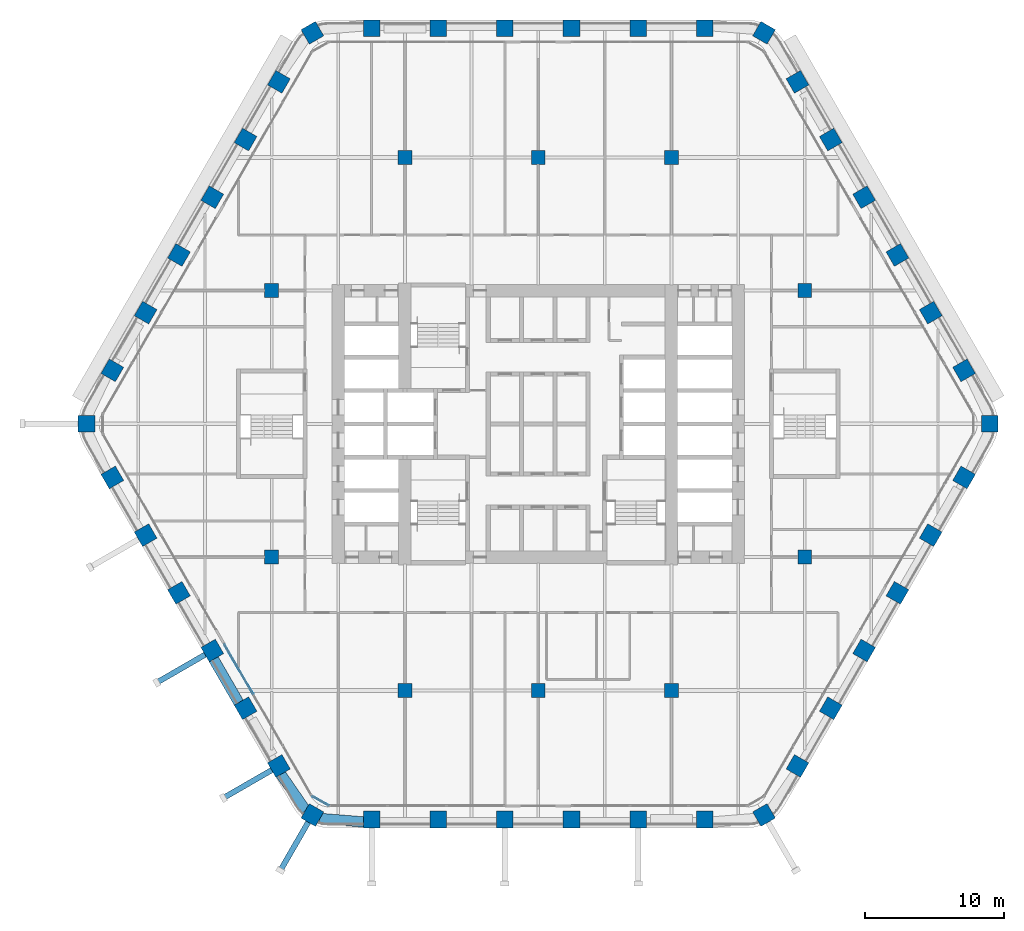
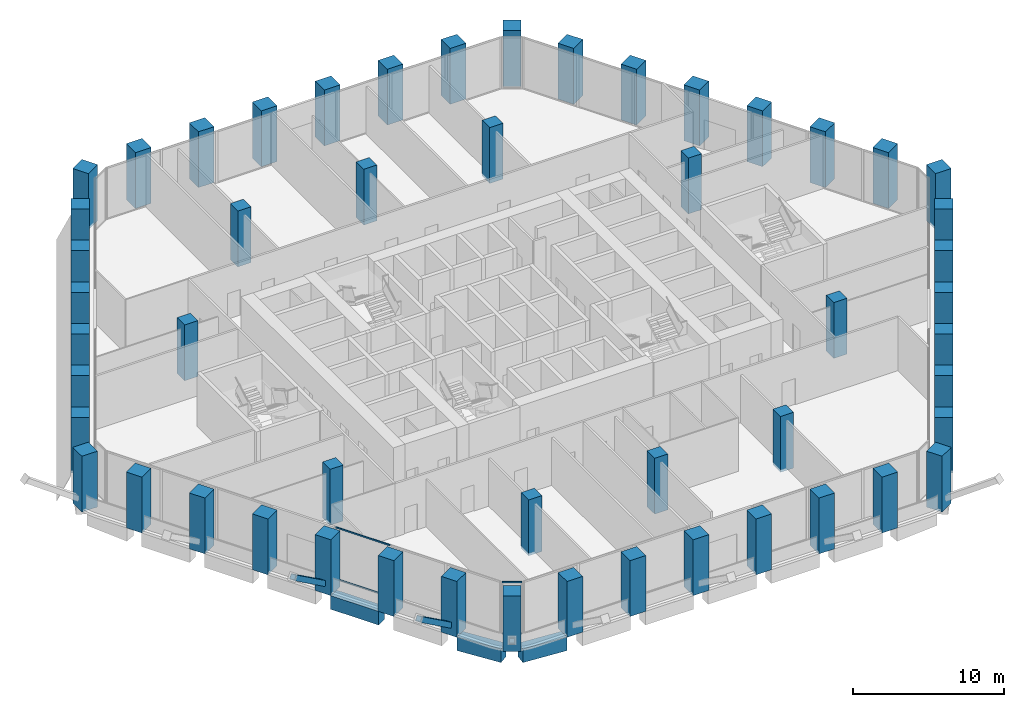
# One storey, part 1 of 26: 52 columns, 7 members, 3 beams, 2 elements without a shape of their own.
"""IFC4 building model written with IfcOpenShell, lengths in metres."""

from ifc_helpers import new_model, si_unit, direction, frame, origin, origin_2d, place, context, subcontext, project, spatial, rectangle, hollow_rectangle, extrude, material, material_profile, profile_set, type_object, element, aggregate, save


model = new_model("IFC4")

# Units and contexts
model_context = context("Model", 3, precision=1e-05, world=origin(), true_north=direction((0.0, 1.0)))
body_context = subcontext(model_context, "Body", "Model", "MODEL_VIEW")
ifc_project = project(units=[si_unit("LENGTHUNIT", "METRE"), si_unit("AREAUNIT", "SQUARE_METRE"), si_unit("VOLUMEUNIT", "CUBIC_METRE"), si_unit("PLANEANGLEUNIT", "RADIAN"), si_unit("MASSUNIT", "GRAM", prefix="KILO")], contexts=[model_context])

# Site, building, storey
site_placement = place(None, origin())
site = spatial("IfcSite", under=ifc_project, at=site_placement, CompositionType="ELEMENT")
building_placement = place(site_placement, origin())
building = spatial("IfcBuilding", under=site, at=building_placement, Name="Kolab Exchange Tower", CompositionType="ELEMENT")
storey_placement = place(building_placement, frame((0.0, 0.0, 104.89990234375)))
storey = spatial("IfcBuildingStorey", under=building, at=storey_placement, Name="L20", CompositionType="ELEMENT", Elevation=104.89990234375)

# Columns
ifc_material_1 = material(Name="Concrete C70/85", Category="concrete")
ifc_material_profile_1 = material_profile(ifc_material_1, rectangle(XDim=1.0, YDim=1.0, at=origin_2d()), Name="RC1000")
ifc_profile_set_1 = profile_set([ifc_material_profile_1], Name="Concrete C70/85")
column_type_1 = type_object("IfcColumnType", Name="INTERIOR COLUMN 1000 SQ C70/85", PredefinedType="COLUMN", material=ifc_profile_set_1)
for number, where, z_axis, x_axis, name in (
    (1, (-19.199951171875, -9.60009765625, -0.199951171875), (0.0, 0.0, 1.0), (1.0, 0.0, 0.0), "col/L20/I-I9"),
    (2, (-19.199951171875, 9.60009765625, -0.199951171875), (0.0, 0.0, 1.0), (1.0, 0.0, 0.0), "col/L20/I-I13"),
    (3, (-9.60009765625, -19.199951171875, -0.199951171875), (0.0, 0.0, 1.0), (1.0, 0.0, 0.0), "col/L20/I-K7"),
    (4, (-9.60009765625, 19.199951171875, -0.199951171875), (0.0, 0.0, 1.0), (1.0, 0.0, 0.0), "col/L20/I-K15"),
    (5, (0.0, -19.199951171875, -0.199951171875), (0.0, 0.0, 1.0), (1.0, 0.0, 0.0), "col/L20/I-M7"),
    (6, (0.0, 19.199951171875, -0.199951171875), (0.0, 0.0, 1.0), (1.0, 0.0, 0.0), "col/L20/I-M15"),
    (7, (9.60009765625, -19.199951171875, -0.199951171875), (0.0, 0.0, 1.0), (1.0, 0.0, 0.0), "col/L20/I-O7"),
    (8, (9.60009765625, 19.199951171875, -0.199951171875), (0.0, 0.0, 1.0), (1.0, 0.0, 0.0), "col/L20/I-O15"),
    (9, (19.199951171875, -9.60009765625, -0.199951171875), (0.0, 0.0, 1.0), (1.0, 0.0, 0.0), "col/L20/I-Q9"),
    (10, (19.199951171875, 9.60009765625, -0.199951171875), (0.0, 0.0, 1.0), (1.0, 0.0, 0.0), "col/L20/I-Q13"),
):
    element("IfcColumn", number, at=place(storey_placement, frame(where, z_axis=z_axis, x_axis=x_axis)), inside=storey, type_object=column_type_1, Name=name, PredefinedType="COLUMN", context=body_context, shape_type="SweptSolid", body=[
        extrude(rectangle(XDim=1.0, YDim=1.0, at=origin_2d()), origin(), (0.0, 0.0, 1.0), 4.5),
    ])
ifc_material_profile_2 = material_profile(ifc_material_1, rectangle(XDim=1.199951171875, YDim=1.199951171875, at=origin_2d()), Name="RC1200")
ifc_profile_set_2 = profile_set([ifc_material_profile_2], Name="Concrete C70/85")
column_type_2 = type_object("IfcColumnType", Name="PERIMETER COLUMN 1200 SQ C70/85", PredefinedType="COLUMN", material=ifc_profile_set_2)
for number, where, z_axis, x_axis, name in (
    (11, (-16.26806640625, 28.177001953125, -0.199951171875), (0.0, 0.0, 1.0), (0.866025403784, 0.5, 0.0), "col/L20/F1-01"),
    (12, (-12.0, 28.49853515625, -0.199951171875), (0.0, 0.0, 1.0), (1.0, 0.0, 0.0), "col/L20/F1-02"),
    (13, (-7.199951171875, 28.49853515625, -0.199951171875), (0.0, 0.0, 1.0), (1.0, 0.0, 0.0), "col/L20/F1-03"),
    (14, (-2.39990234375, 28.49853515625, -0.199951171875), (0.0, 0.0, 1.0), (1.0, 0.0, 0.0), "col/L20/F1-04"),
    (15, (2.39990234375, 28.49853515625, -0.199951171875), (0.0, 0.0, 1.0), (1.0, 0.0, 0.0), "col/L20/F1-05"),
    (16, (7.199951171875, 28.49853515625, -0.199951171875), (0.0, 0.0, 1.0), (1.0, 0.0, 0.0), "col/L20/F1-06"),
    (17, (12.0, 28.49853515625, -0.199951171875), (0.0, 0.0, 1.0), (1.0, 0.0, 0.0), "col/L20/F1-07"),
    (18, (16.26806640625, 28.177001953125, -0.199951171875), (0.0, 0.0, 1.0), (0.5, 0.866025403784, 0.0), "col/L20/F2-01"),
    (19, (18.680419921875, 24.6416015625, -0.199951171875), (0.0, 0.0, 1.0), (0.866025403784, 0.5, 0.0), "col/L20/F2-02"),
    (20, (21.080322265625, 20.484619140625, -0.199951171875), (0.0, 0.0, 1.0), (0.866025403784, 0.5, 0.0), "col/L20/F2-03"),
    (21, (23.48046875, 16.32763671875, -0.199951171875), (0.0, 0.0, 1.0), (0.866025403784, 0.5, 0.0), "col/L20/F2-04"),
    (22, (25.88037109375, 12.170654296875, -0.199951171875), (0.0, 0.0, 1.0), (0.866025403784, 0.5, 0.0), "col/L20/F2-05"),
    (23, (28.2802734375, 8.013916015625, -0.199951171875), (0.0, 0.0, 1.0), (0.866025403784, 0.5, 0.0), "col/L20/F2-06"),
    (24, (30.680419921875, 3.85693359375, -0.199951171875), (0.0, 0.0, 1.0), (0.866025403784, 0.5, 0.0), "col/L20/F2-07"),
    (25, (32.535888671875, 0.0, -0.199951171875), (0.0, 0.0, 1.0), (1.0, 0.0, 0.0), "col/L20/F3-01"),
    (26, (30.680419921875, -3.85693359375, -0.199951171875), (0.0, 0.0, 1.0), (0.5, 0.866025403784, 0.0), "col/L20/F3-02"),
    (27, (28.2802734375, -8.013916015625, -0.199951171875), (0.0, 0.0, 1.0), (0.5, 0.866025403784, 0.0), "col/L20/F3-03"),
    (28, (25.88037109375, -12.170654296875, -0.199951171875), (0.0, 0.0, 1.0), (0.5, 0.866025403784, 0.0), "col/L20/F3-04"),
    (29, (23.48046875, -16.32763671875, -0.199951171875), (0.0, 0.0, 1.0), (0.5, 0.866025403784, 0.0), "col/L20/F3-05"),
    (30, (21.080322265625, -20.484619140625, -0.199951171875), (0.0, 0.0, 1.0), (0.5, 0.866025403784, 0.0), "col/L20/F3-06"),
    (31, (18.680419921875, -24.6416015625, -0.199951171875), (0.0, 0.0, 1.0), (0.5, 0.866025403784, 0.0), "col/L20/F3-07"),
    (32, (16.26806640625, -28.177001953125, -0.199951171875), (0.0, 0.0, 1.0), (0.866025403784, 0.5, 0.0), "col/L20/F4-01"),
    (33, (12.0, -28.49853515625, -0.199951171875), (0.0, 0.0, 1.0), (1.0, 0.0, 0.0), "col/L20/F4-02"),
    (34, (7.199951171875, -28.49853515625, -0.199951171875), (0.0, 0.0, 1.0), (1.0, 0.0, 0.0), "col/L20/F4-03"),
    (35, (2.39990234375, -28.49853515625, -0.199951171875), (0.0, 0.0, 1.0), (1.0, 0.0, 0.0), "col/L20/F4-04"),
    (36, (-2.39990234375, -28.49853515625, -0.199951171875), (0.0, 0.0, 1.0), (1.0, 0.0, 0.0), "col/L20/F4-05"),
    (37, (-7.199951171875, -28.49853515625, -0.199951171875), (0.0, 0.0, 1.0), (1.0, 0.0, 0.0), "col/L20/F4-06"),
    (38, (-12.0, -28.49853515625, -0.199951171875), (0.0, 0.0, 1.0), (1.0, 0.0, 0.0), "col/L20/F4-07"),
    (39, (-16.26806640625, -28.177001953125, -0.199951171875), (0.0, 0.0, 1.0), (0.5, 0.866025403784, 0.0), "col/L20/F5-01"),
    (40, (-18.680419921875, -24.6416015625, -0.199951171875), (0.0, 0.0, 1.0), (0.866025403784, 0.5, 0.0), "col/L20/F5-02"),
    (41, (-21.080322265625, -20.484619140625, -0.199951171875), (0.0, 0.0, 1.0), (0.866025403784, 0.5, 0.0), "col/L20/F5-03"),
    (42, (-23.48046875, -16.32763671875, -0.199951171875), (0.0, 0.0, 1.0), (0.866025403784, 0.5, 0.0), "col/L20/F5-04"),
    (43, (-25.88037109375, -12.170654296875, -0.199951171875), (0.0, 0.0, 1.0), (0.866025403784, 0.5, 0.0), "col/L20/F5-05"),
    (44, (-28.2802734375, -8.013916015625, -0.199951171875), (0.0, 0.0, 1.0), (0.866025403784, 0.5, 0.0), "col/L20/F5-06"),
    (45, (-30.680419921875, -3.85693359375, -0.199951171875), (0.0, 0.0, 1.0), (0.866025403784, 0.5, 0.0), "col/L20/F5-07"),
    (46, (-32.535888671875, 0.0, -0.199951171875), (0.0, 0.0, 1.0), (1.0, 0.0, 0.0), "col/L20/F6-01"),
    (47, (-30.680419921875, 3.85693359375, -0.199951171875), (0.0, 0.0, 1.0), (0.5, 0.866025403784, 0.0), "col/L20/F6-02"),
    (48, (-28.2802734375, 8.013916015625, -0.199951171875), (0.0, 0.0, 1.0), (0.5, 0.866025403784, 0.0), "col/L20/F6-03"),
    (49, (-25.88037109375, 12.170654296875, -0.199951171875), (0.0, 0.0, 1.0), (0.5, 0.866025403784, 0.0), "col/L20/F6-04"),
    (50, (-23.48046875, 16.32763671875, -0.199951171875), (0.0, 0.0, 1.0), (0.5, 0.866025403784, 0.0), "col/L20/F6-05"),
    (51, (-21.080322265625, 20.484619140625, -0.199951171875), (0.0, 0.0, 1.0), (0.5, 0.866025403784, 0.0), "col/L20/F6-06"),
    (52, (-18.680419921875, 24.6416015625, -0.199951171875), (0.0, 0.0, 1.0), (0.5, 0.866025403784, 0.0), "col/L20/F6-07"),
):
    element("IfcColumn", number, at=place(storey_placement, frame(where, z_axis=z_axis, x_axis=x_axis)), inside=storey, type_object=column_type_2, Name=name, PredefinedType="COLUMN", context=body_context, shape_type="SweptSolid", body=[
        extrude(rectangle(XDim=1.199951171875, YDim=1.199951171875, at=origin_2d()), origin(), (0.0, 0.0, 1.0), 4.5),
    ])

# Members
ifc_material_2 = material(Name="Steel S355", Category="steel")
ifc_material_profile_3 = material_profile(ifc_material_2, hollow_rectangle(XDim=0.39990234375, YDim=0.39990234375, WallThickness=0.02001953125, at=origin_2d()), Name="HSS400X400X20")
ifc_profile_set_3 = profile_set([ifc_material_profile_3], Name="Steel S355")
member_type_1 = type_object("IfcMemberType", Name="LEDGE STRUT HSS400X400X20", PredefinedType="STRUT", material=ifc_profile_set_3)
for number, where, z_axis, x_axis, name in (
    (53, (-16.5478515625, -28.661865234375, 0.60009765625), (-0.40533170136, -0.702055669831, 0.585511783255), (0.866025579307, -0.499999695987, 0.0), "mem/L20/ledge/strut-4"),
    (54, (-19.165283203125, -24.92138671875, 0.60009765625), (-0.702055669831, -0.40533170136, 0.585511783255), (0.499999695987, -0.866025579307, 0.0), "mem/L20/ledge/strut-5"),
    (55, (-23.96533203125, -16.607666015625, 0.60009765625), (-0.702055669831, -0.40533170136, 0.585511783255), (0.499999695987, -0.866025579307, 0.0), "mem/L20/ledge/strut-6"),
):
    element("IfcMember", number, at=place(storey_placement, frame(where, z_axis=z_axis, x_axis=x_axis)), inside=storey, type_object=member_type_1, Name=name, PredefinedType="STRUT", context=body_context, shape_type="SweptSolid", body=[
        extrude(hollow_rectangle(XDim=0.39990234375, YDim=0.39990234375, WallThickness=0.02001953125, at=origin_2d()), origin(), (0.0, 0.0, 1.0), 4.983642578125),
    ])

# Beams
ifc_material_profile_4 = material_profile(ifc_material_1, rectangle(XDim=0.75, YDim=1.10009765625, at=origin_2d()), Name="RC750X1100")
ifc_profile_set_4 = profile_set([ifc_material_profile_4], Name="Concrete C70/85")
beam_type = type_object("IfcBeamType", Name="SPANDREL BEAM 750X1100 C70/85", PredefinedType="BEAM", material=ifc_profile_set_4)
for number, where, z_axis, x_axis, name in (
    (56, (-12.56005859375, -28.678466796875, -0.75), (-0.996791038408, 0.080047646748, 0.0), (-0.080047646748, -0.996791038408, 0.0), "beam/L20/sp/F4-07"),
    (57, (-16.73486328125, -27.85791015625, -0.75), (-0.567661826262, 0.823261836237, 0.0), (-0.823261836237, -0.567661826262, 0.0), "beam/L20/sp/F5-01"),
):
    element("IfcBeam", number, at=place(storey_placement, frame(where, z_axis=z_axis, x_axis=x_axis)), inside=storey, type_object=beam_type, Name=name, PredefinedType="BEAM", context=body_context, shape_type="SweptSolid", body=[
        extrude(rectangle(XDim=0.75, YDim=1.10009765625, at=origin_2d()), origin(), (0.0, 0.0, 1.0), 3.20849609375),
    ])
beam_placement = place(storey_placement, frame((-21.55517578125, -20.112060546875, -0.75), z_axis=(-0.500013413428, 0.866017659399, 0.0), x_axis=(-0.866017659399, -0.500013413428, 0.0)))
element("IfcBeam", 58, at=beam_placement, inside=storey, type_object=beam_type, Name="beam/L20/sp/F5-03", PredefinedType="BEAM", context=body_context, shape_type="SweptSolid", body=[
    extrude(rectangle(XDim=0.75, YDim=1.10009765625, at=origin_2d()), origin(), (0.0, 0.0, 1.0), 3.68017578125),
])

# Curtain wall, members
ifc_material_3 = material(Name="Aluminium EN AW-6063 T6", Category="aluminium")
curtain_wall_type = type_object("IfcCurtainWallType", Name="UNITISED LOWER MID ZONE CURTAIN WALL", PredefinedType="NOTDEFINED", material=ifc_material_3)
curtain_wall_1_placement = place(storey_placement, origin())
curtain_wall_1 = element("IfcCurtainWall", 59, at=curtain_wall_1_placement, inside=storey, type_object=curtain_wall_type, Name="cw/L20/F5-1", PredefinedType="NOTDEFINED")
ifc_material_profile_5 = material_profile(ifc_material_3, rectangle(XDim=0.06005859375, YDim=0.1201171875, at=origin_2d()), Name="RECT 60X120")
ifc_profile_set_5 = profile_set([ifc_material_profile_5], Name="Aluminium EN AW-6063 T6")
member_type_2 = type_object("IfcMemberType", Name="UNITISED LOWER MID ZONE TRANSOM 60 X 120", PredefinedType="USERDEFINED", material=ifc_profile_set_5)
member_1_placement = place(storey_placement, frame((-20.535400390625, -19.46875, 0.030029296875), z_axis=(-0.499957688808, 0.866049830784, 0.0), x_axis=(-0.866049830784, -0.499957688808, 0.0)))
member_1 = element("IfcMember", 60, at=member_1_placement, type_object=member_type_2, Name="CW2 transom 3.1", ObjectType="TRANSOM", PredefinedType="USERDEFINED", context=body_context, shape_type="SweptSolid", body=[
    extrude(rectangle(XDim=0.06005859375, YDim=0.1201171875, at=origin_2d()), origin(), (0.0, 0.0, 1.0), 4.132568359375),
])
member_2_placement = place(storey_placement, frame((-20.535400390625, -19.46875, 4.170166015625), z_axis=(-0.499957688808, 0.866049830784, 0.0), x_axis=(-0.866049830784, -0.499957688808, 0.0)))
member_2 = element("IfcMember", 61, at=member_2_placement, type_object=member_type_2, Name="CW2 transom 3.2", ObjectType="TRANSOM", PredefinedType="USERDEFINED", context=body_context, shape_type="SweptSolid", body=[
    extrude(rectangle(XDim=0.06005859375, YDim=0.1201171875, at=origin_2d()), origin(), (0.0, 0.0, 1.0), 4.132568359375),
])
aggregate(curtain_wall_1, [member_1, member_2])

curtain_wall_2_placement = place(storey_placement, origin())
curtain_wall_2 = element("IfcCurtainWall", 62, at=curtain_wall_2_placement, inside=storey, type_object=curtain_wall_type, Name="cw/L20/F4F5-corner", PredefinedType="NOTDEFINED")
member_3_placement = place(storey_placement, frame((-15.119873046875, -27.488525390625, 0.030029296875), z_axis=(-0.866004217611, 0.500036693733, 0.0), x_axis=(-0.500036693733, -0.866004217611, 0.0)))
member_3 = element("IfcMember", 63, at=member_3_placement, type_object=member_type_2, Name="CW2 transom 1.1", ObjectType="TRANSOM", PredefinedType="USERDEFINED", context=body_context, shape_type="SweptSolid", body=[
    extrude(rectangle(XDim=0.06005859375, YDim=0.1201171875, at=origin_2d()), origin(), (0.0, 0.0, 1.0), 1.30029296875),
])
member_4_placement = place(storey_placement, frame((-15.119873046875, -27.488525390625, 4.170166015625), z_axis=(-0.866004217611, 0.500036693733, 0.0), x_axis=(-0.500036693733, -0.866004217611, 0.0)))
member_4 = element("IfcMember", 64, at=member_4_placement, type_object=member_type_2, Name="CW2 transom 1.2", ObjectType="TRANSOM", PredefinedType="USERDEFINED", context=body_context, shape_type="SweptSolid", body=[
    extrude(rectangle(XDim=0.06005859375, YDim=0.1201171875, at=origin_2d()), origin(), (0.0, 0.0, 1.0), 1.30029296875),
])
aggregate(curtain_wall_2, [member_3, member_4])

save(model, "model.ifc")
